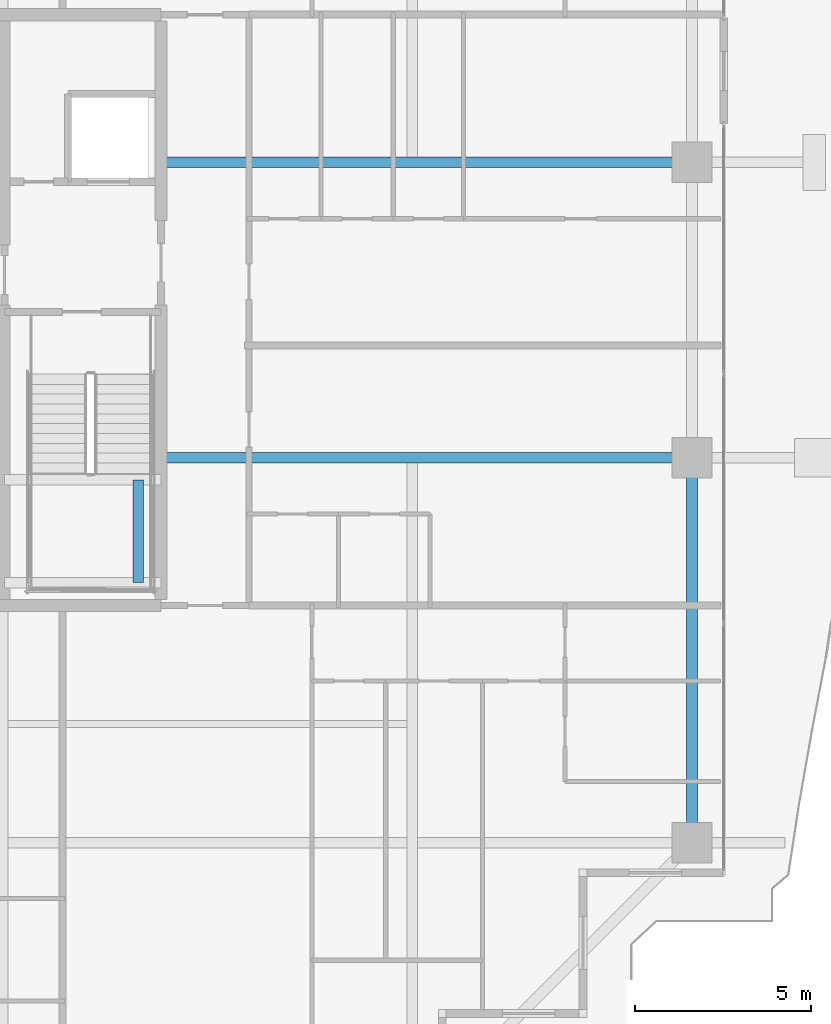
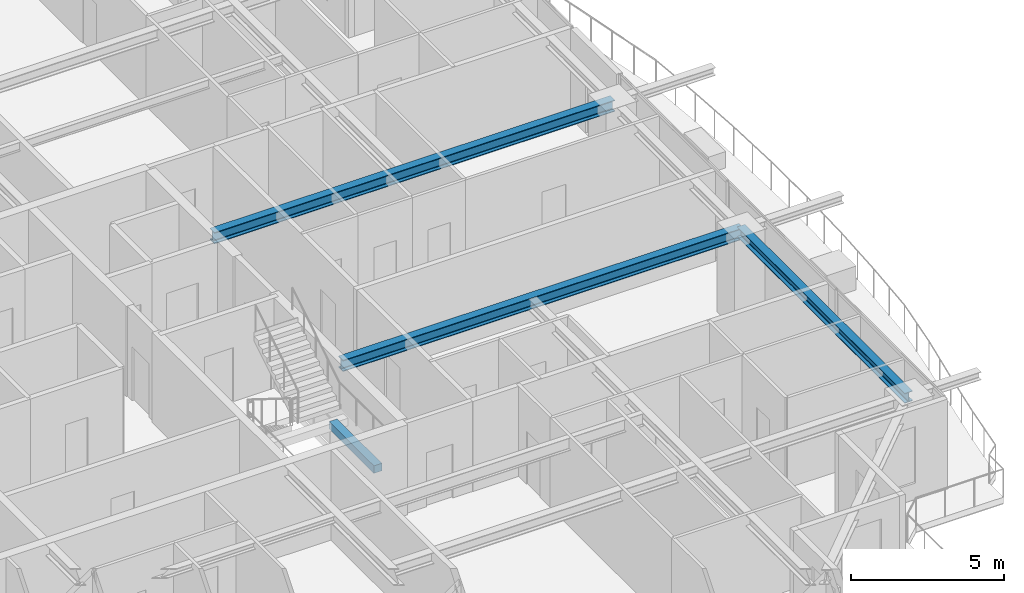
# One storey, part 14 of 38: 4 beams.
"""IFC4 building model written with IfcOpenShell, lengths in metres."""

from ifc_helpers import new_model, si_unit, direction, frame, origin, origin_2d, place, context, subcontext, project, spatial, rectangle, i_section, extrude, source, transform, mapped, material, material_profile, profile_set, type_object, element, save


model = new_model("IFC4")

# Units and contexts
model_context = context("Model", 3, precision=1e-05, world=origin(), true_north=direction((0.0, 1.0)))
body_context = subcontext(model_context, "Body", "Model", "MODEL_VIEW")
ifc_project = project(units=[si_unit("LENGTHUNIT", "METRE"), si_unit("AREAUNIT", "SQUARE_METRE"), si_unit("VOLUMEUNIT", "CUBIC_METRE"), si_unit("PLANEANGLEUNIT", "RADIAN"), si_unit("MASSUNIT", "GRAM", prefix="KILO")], contexts=[model_context])

# Site, building, storey
site_placement = place(None, origin())
site = spatial("IfcSite", under=ifc_project, at=site_placement, CompositionType="ELEMENT")
building_placement = place(site_placement, origin())
building = spatial("IfcBuilding", under=site, at=building_placement, Name="Serunith Strait Residences", CompositionType="ELEMENT")
storey_placement = place(building_placement, frame((0.0, 0.0, 245.10009765625)))
storey = spatial("IfcBuildingStorey", under=building, at=storey_placement, Name="L61", CompositionType="ELEMENT", Elevation=245.10009765625)

# Beams
ifc_material_1 = material(Name="Steel S355J2", Category="steel")
ifc_material_profile_1 = material_profile(ifc_material_1, i_section(OverallWidth=0.300048828125, OverallDepth=0.449951171875, WebThickness=0.013916015625, FlangeThickness=0.02587890625, FilletRadius=0.027099609375, at=origin_2d()), Name="HEB 450")
ifc_profile_set_1 = profile_set([ifc_material_profile_1], Name="Steel S355J2")
beam_type_1 = type_object("IfcBeamType", Name="BM-HEB450", PredefinedType="BEAM", material=ifc_profile_set_1)
shared_shape_1 = source(origin(), body_context, "Body", "SweptSolid", [
    extrude(i_section(OverallWidth=0.300048828125, OverallDepth=0.449951171875, WebThickness=0.013916015625, FlangeThickness=0.02587890625, FilletRadius=0.027099609375, at=origin_2d()), origin(), (0.0, 0.0, 1.0), 15.10009765625),
])
for number, where, z_axis, x_axis, name in (
    (1, (41.39990234375, 21.0, 3.36181640625), (1.0, 0.0, 0.0), (0.0, 1.0, 0.0), "L61 Primary Floor Girder TC-E2"),
    (2, (41.39990234375, 29.39990234375, 3.36181640625), (1.0, 0.0, 0.0), (0.0, 1.0, 0.0), "L61 Primary Floor Girder TC-E3"),
):
    element("IfcBeam", number, at=place(storey_placement, frame(where, z_axis=z_axis, x_axis=x_axis)), inside=storey, type_object=beam_type_1, Name=name, PredefinedType="BEAM", context=body_context, shape_type="MappedRepresentation", body=[
        mapped(shared_shape_1, transform((0.0, 0.0, 0.0), scale=1.0)),
    ])
ifc_material_profile_2 = material_profile(ifc_material_1, i_section(OverallWidth=0.300048828125, OverallDepth=0.39990234375, WebThickness=0.013427734375, FlangeThickness=0.02392578125, FilletRadius=0.027099609375, at=origin_2d()), Name="HEB 400")
ifc_profile_set_2 = profile_set([ifc_material_profile_2], Name="Steel S355J2")
beam_type_2 = type_object("IfcBeamType", Name="BM-HEB400", PredefinedType="BEAM", material=ifc_profile_set_2)
shared_shape_2 = source(origin(), body_context, "Body", "SweptSolid", [
    extrude(i_section(OverallWidth=0.300048828125, OverallDepth=0.39990234375, WebThickness=0.013427734375, FlangeThickness=0.02392578125, FilletRadius=0.027099609375, at=origin_2d()), origin(), (0.0, 0.0, 1.0), 10.949951171875),
])
beam_1_placement = place(storey_placement, frame((56.5, 10.050048828125, 3.386962890625), z_axis=(0.0, 1.0, 0.0), x_axis=(-1.0, 0.0, 0.0)))
element("IfcBeam", 3, at=beam_1_placement, inside=storey, type_object=beam_type_2, Name="L61 Perimeter Ring Beam 05", PredefinedType="BEAM", context=body_context, shape_type="MappedRepresentation", body=[
    mapped(shared_shape_2, transform((0.0, 0.0, 0.0), scale=1.0)),
])
ifc_material_2 = material(Name="Concrete C60/75", Category="concrete")
ifc_material_profile_3 = material_profile(ifc_material_2, rectangle(XDim=0.300048828125, YDim=0.300048828125, at=origin_2d()), Name="RC 300x300")
ifc_profile_set_3 = profile_set([ifc_material_profile_3], Name="Concrete C60/75")
beam_type_3 = type_object("IfcBeamType", Name="BM-LAND-300x300", PredefinedType="BEAM", material=ifc_profile_set_3)
shared_shape_3 = source(origin(), body_context, "Body", "SweptSolid", [
    extrude(rectangle(XDim=0.300048828125, YDim=0.300048828125, at=origin_2d()), origin(), (0.0, 0.0, 1.0), 2.920166015625),
])
beam_2_placement = place(storey_placement, frame((40.75, 17.449951171875, 1.574951171875), z_axis=(0.0, 1.0, 0.0), x_axis=(-1.0, 0.0, 0.0)))
element("IfcBeam", 4, at=beam_2_placement, inside=storey, type_object=beam_type_3, Name="L61 ST-2 Landing Transverse Tie Beam", PredefinedType="BEAM", context=body_context, shape_type="MappedRepresentation", body=[
    mapped(shared_shape_3, transform((0.0, 0.0, 0.0), scale=1.0)),
])

save(model, "model.ifc")
